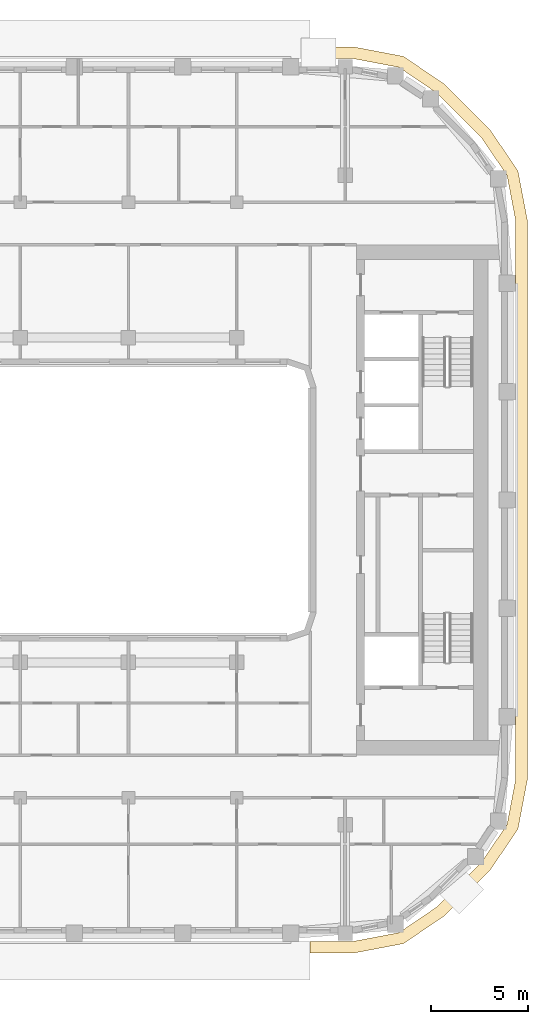
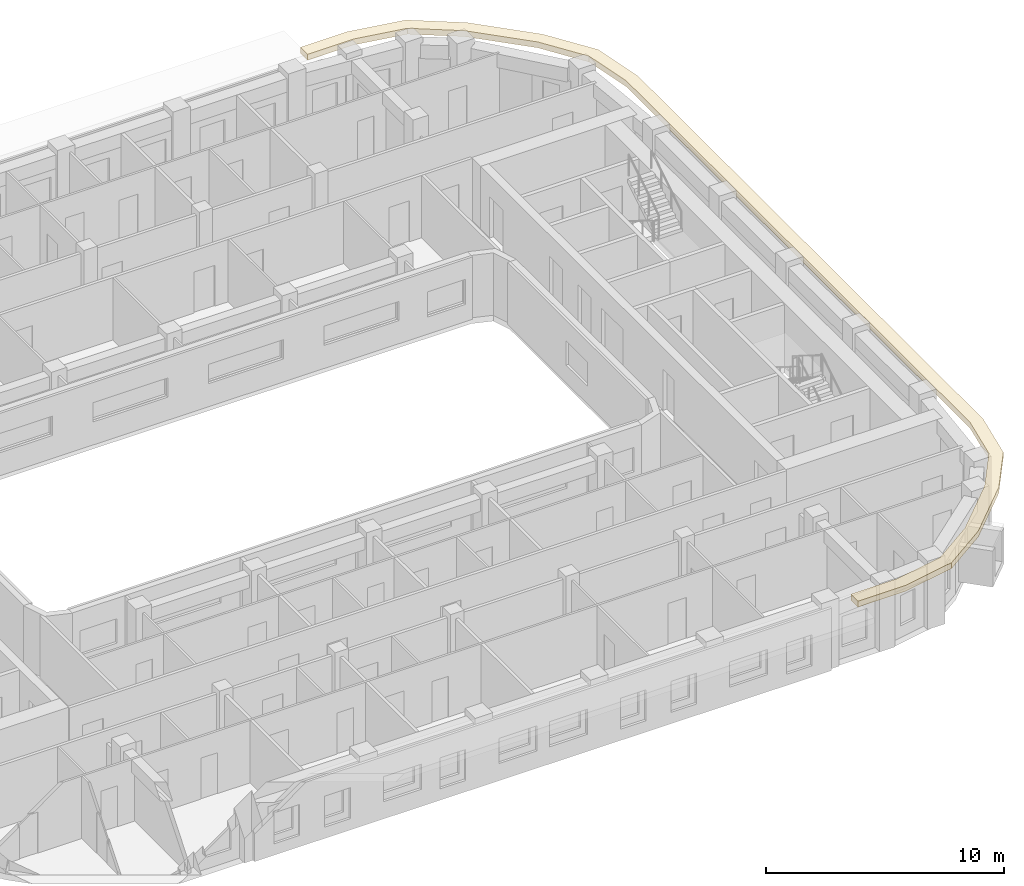
# One storey, part 17 of 21: 1 covering.
"""IFC4 building model written with IfcOpenShell, lengths in metres."""

from ifc_helpers import new_model, si_unit, direction, frame, origin, place, context, subcontext, project, spatial, polyline, outline, extrude, material, layer, layer_set, type_object, element, save


model = new_model("IFC4")

# Units and contexts
model_context = context("Model", 3, precision=1e-05, world=origin(), true_north=direction((0.0, 1.0)))
body_context = subcontext(model_context, "Body", "Model", "MODEL_VIEW")
ifc_project = project(units=[si_unit("LENGTHUNIT", "METRE"), si_unit("AREAUNIT", "SQUARE_METRE"), si_unit("VOLUMEUNIT", "CUBIC_METRE"), si_unit("PLANEANGLEUNIT", "RADIAN"), si_unit("MASSUNIT", "GRAM", prefix="KILO")], contexts=[model_context])

# Site, building, storey
site_placement = place(None, origin())
site = spatial("IfcSite", under=ifc_project, at=site_placement, CompositionType="ELEMENT")
building_placement = place(site_placement, origin())
building = spatial("IfcBuilding", under=site, at=building_placement, Name="Kiln Ring Residences", CompositionType="ELEMENT")
storey_placement = place(building_placement, frame((0.0, 0.0, 223.89990234375)))
storey = spatial("IfcBuildingStorey", under=building, at=storey_placement, Name="L58", CompositionType="ELEMENT", Elevation=223.89990234375)

# Covering
ifc_material = material(Name="Black powder-coated steel", Category="steel")
ifc_layer = layer(ifc_material, 0.300048828125)
ifc_layer_set = layer_set([ifc_layer], Name="SUNSHADE FIN 600")
covering_type = type_object("IfcCoveringType", Name="SUNSHADE FIN 600", PredefinedType="CLADDING", material=ifc_layer_set)
covering_placement = place(storey_placement, frame((0.0, 0.0, 3.2001953125)))
element("IfcCovering", 1, at=covering_placement, inside=storey, type_object=covering_type, Name="SUNSHADE FIN L58", PredefinedType="CLADDING", context=body_context, shape_type="SweptSolid", body=[
    extrude(outline(polyline([(17.296875, 23.425048828125), (15.0, 23.425048828125), (15.0, 22.824951171875), (17.240234375, 22.824951171875), (19.59033203125, 22.376708984375), (21.569091796875, 21.031982421875), (23.831787109375, 18.769287109375), (25.1767578125, 16.790283203125), (25.625, 14.440185546875), (25.625, -14.440185546875), (25.1767578125, -16.790283203125), (23.831787109375, -18.769287109375), (21.569091796875, -21.031982421875), (19.59033203125, -22.376708984375), (17.240234375, -22.824951171875), (15.0, -22.824951171875), (15.0, -23.425048828125), (17.296875, -23.425048828125), (19.82470703125, -22.94287109375), (21.953369140625, -21.49609375), (24.296142578125, -19.1533203125), (25.742919921875, -17.02490234375), (26.22509765625, -14.496826171875), (26.22509765625, 14.496826171875), (25.742919921875, 17.02490234375), (24.296142578125, 19.1533203125), (21.953369140625, 21.49609375), (19.82470703125, 22.94287109375), (17.296875, 23.425048828125)])), origin(), (0.0, 0.0, 1.0), 0.2998046875),
])

save(model, "model.ifc")
